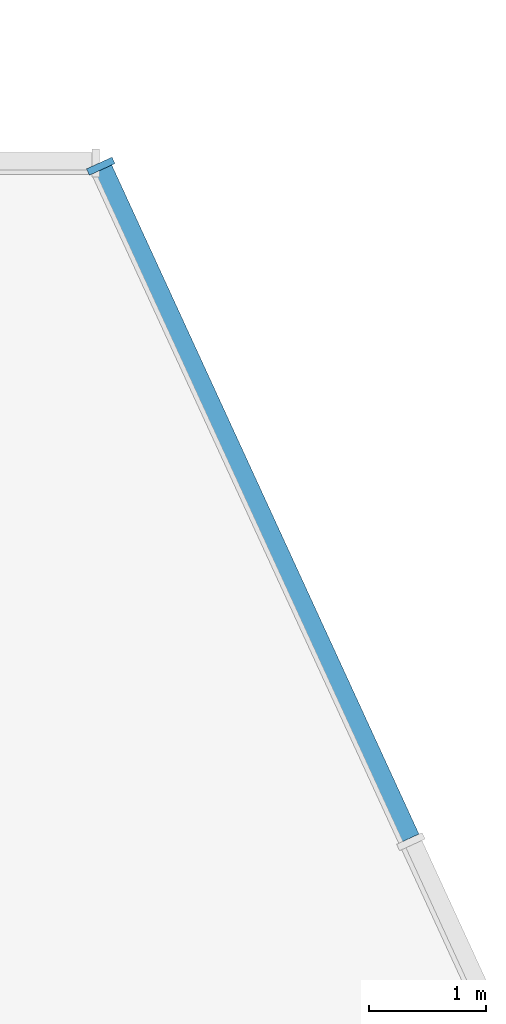
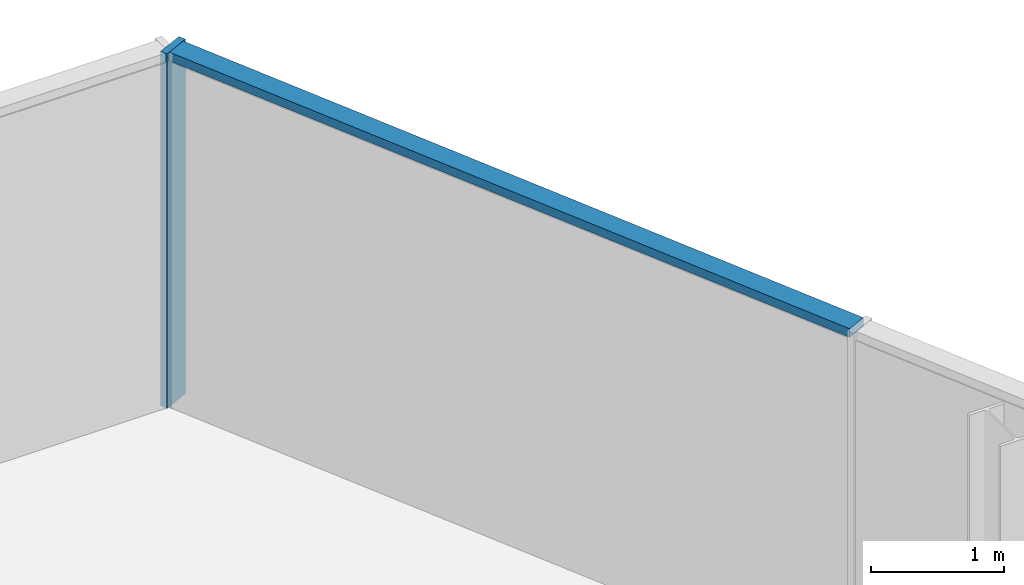
# One storey, part 7 of 13: 2 members, 1 element without a shape of its own.
"""IFC4 building model written with IfcOpenShell, lengths in metres."""

from ifc_helpers import new_model, si_unit, direction, frame, origin, origin_2d, place, context, subcontext, project, spatial, rectangle, extrude, material, material_profile, profile_set, type_object, element, aggregate, save


model = new_model("IFC4")

# Units and contexts
model_context = context("Model", 3, precision=1e-05, world=origin(), true_north=direction((0.0, 1.0)))
body_context = subcontext(model_context, "Body", "Model", "MODEL_VIEW")
ifc_project = project(units=[si_unit("LENGTHUNIT", "METRE"), si_unit("AREAUNIT", "SQUARE_METRE"), si_unit("VOLUMEUNIT", "CUBIC_METRE"), si_unit("PLANEANGLEUNIT", "RADIAN"), si_unit("MASSUNIT", "GRAM", prefix="KILO")], contexts=[model_context])

# Site, building, storey
site_placement = place(None, origin())
site = spatial("IfcSite", under=ifc_project, at=site_placement, CompositionType="ELEMENT")
building_placement = place(site_placement, origin())
building = spatial("IfcBuilding", under=site, at=building_placement, Name="Wharfspan Tower", CompositionType="ELEMENT")
storey_placement = place(building_placement, frame((0.0, 0.0, 264.300049)))
storey = spatial("IfcBuildingStorey", under=building, at=storey_placement, Name="L67", CompositionType="ELEMENT", Elevation=264.300049)

# Curtain wall, members
ifc_material = material(Name="Aluminium 6063-T6", Category="aluminium")
curtain_wall_type = type_object("IfcCurtainWallType", Name="CURTAIN WALL PROW AND END", PredefinedType="NOTDEFINED", material=ifc_material)
curtain_wall_placement = place(storey_placement, origin())
curtain_wall = element("IfcCurtainWall", 1, at=curtain_wall_placement, inside=storey, type_object=curtain_wall_type, Name="Crown curtain wall E", PredefinedType="NOTDEFINED")
ifc_material_profile_1 = material_profile(ifc_material, rectangle(XDim=0.23999, YDim=0.060059, at=origin_2d()))
ifc_profile_set_1 = profile_set([ifc_material_profile_1], Name="Aluminium 6063-T6")
member_type_1 = type_object("IfcMemberType", Name="MULLION PROW AND END 60x240", PredefinedType="MULLION", material=ifc_profile_set_1)
member_1_placement = place(storey_placement, frame((62.032959, 43.572754, 0.0), z_axis=(0.0, 0.0, 1.0), x_axis=(-0.908769, -0.417292, 0.0)))
member_1 = element("IfcMember", 2, at=member_1_placement, type_object=member_type_1, Name="Crown curtain wall E mullion 7", PredefinedType="MULLION", context=body_context, shape_type="SweptSolid", body=[
    extrude(rectangle(XDim=0.23999, YDim=0.060059, at=origin_2d()), origin(), (0.0, 0.0, 1.0), 3.264404),
])
ifc_material_profile_2 = material_profile(ifc_material, rectangle(XDim=0.179932, YDim=0.080078, at=origin_2d()))
ifc_profile_set_2 = profile_set([ifc_material_profile_2], Name="Aluminium 6063-T6")
member_type_2 = type_object("IfcMemberType", Name="TRANSOM PROW AND END 80x180", PredefinedType="USERDEFINED", material=ifc_profile_set_2)
member_2_placement = place(storey_placement, frame((64.671143, 37.827148, 3.224365), z_axis=(-0.417293, 0.908772, 0.0), x_axis=(-0.908772, -0.417293, 0.0)))
member_2 = element("IfcMember", 3, at=member_2_placement, type_object=member_type_2, Name="Crown curtain wall E transom 6", ObjectType="TRANSOM", PredefinedType="USERDEFINED", context=body_context, shape_type="SweptSolid", body=[
    extrude(rectangle(XDim=0.179932, YDim=0.080078, at=origin_2d()), origin(), (0.0, 0.0, 1.0), 6.292236),
])
aggregate(curtain_wall, [member_1, member_2])

save(model, "model.ifc")
